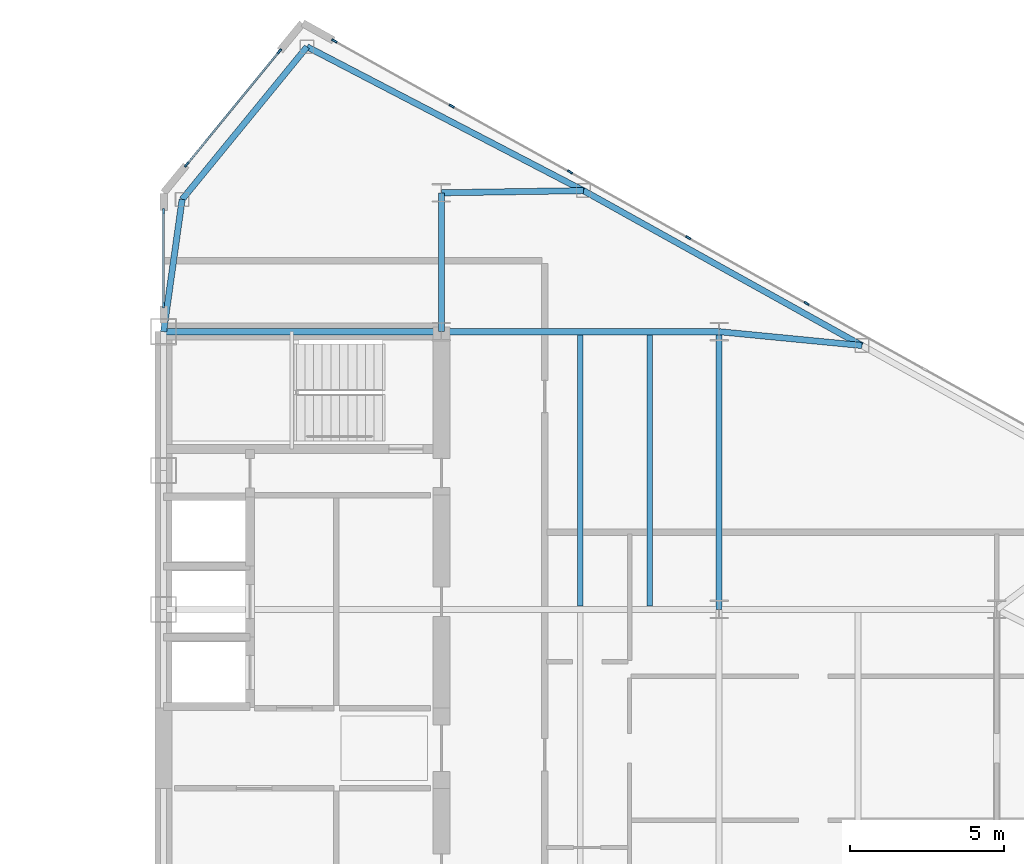
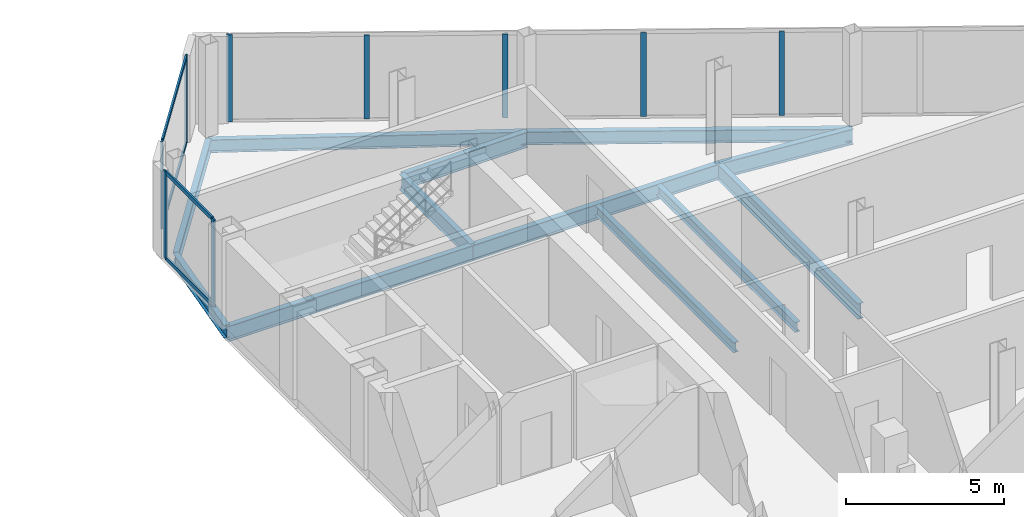
# One storey, part 15 of 26: 13 members, 12 beams, 3 elements without a shape of their own.
"""IFC4 building model written with IfcOpenShell, lengths in metres."""

from ifc_helpers import new_model, si_unit, direction, frame, origin, origin_2d, place, context, subcontext, project, spatial, rectangle, i_section, extrude, source, transform, mapped, material, layer, layer_set, material_profile, profile_set, type_object, type_shapes, element, aggregate, save


model = new_model("IFC4")

# Units and contexts
model_context = context("Model", 3, precision=1e-05, world=origin(), true_north=direction((0.0, 1.0)))
body_context = subcontext(model_context, "Body", "Model", "MODEL_VIEW")
ifc_project = project(units=[si_unit("LENGTHUNIT", "METRE"), si_unit("AREAUNIT", "SQUARE_METRE"), si_unit("VOLUMEUNIT", "CUBIC_METRE"), si_unit("PLANEANGLEUNIT", "RADIAN"), si_unit("MASSUNIT", "GRAM", prefix="KILO")], contexts=[model_context])

# Site, building, storey
site_placement = place(None, origin())
site = spatial("IfcSite", under=ifc_project, at=site_placement, CompositionType="ELEMENT")
building_placement = place(site_placement, origin())
building = spatial("IfcBuilding", under=site, at=building_placement, Name="Seokmaru Belvedere", CompositionType="ELEMENT")
storey_placement = place(building_placement, frame((0.0, 0.0, 170.699951171875)))
storey = spatial("IfcBuildingStorey", under=building, at=storey_placement, Name="L45", CompositionType="ELEMENT", Elevation=170.699951171875)

# Beams
ifc_material_1 = material(Name="Steel SM355 (355 MPa)", Category="steel")
ifc_material_profile_1 = material_profile(ifc_material_1, i_section(OverallWidth=0.199951171875, OverallDepth=0.60009765625, WebThickness=0.010986328125, FlangeThickness=0.01708984375, at=origin_2d()), Name="H-600x200x11x17")
ifc_profile_set_1 = profile_set([ifc_material_profile_1], Name="Steel SM355 (355 MPa)")
beam_type_1 = type_object("IfcBeamType", Name="Primary Floor Girder H-600", PredefinedType="BEAM", material=ifc_profile_set_1)
shared_shape_1 = source(origin(), body_context, "Body", "SweptSolid", [
    extrude(i_section(OverallWidth=0.199951171875, OverallDepth=0.60009765625, WebThickness=0.010986328125, FlangeThickness=0.01708984375, at=origin_2d()), origin(), (0.0, 0.0, 1.0), 9.0),
])
for number, where, z_axis, x_axis, name in (
    (1, (45.5, 4.5, -0.52001953125), (0.0, 1.0, 0.0), (-1.0, 0.0, 0.0), "L45 E Interior Grid Girder 3"),
    (2, (27.5, 13.5, -0.52001953125), (1.0, 0.0, 0.0), (0.0, 1.0, 0.0), "L45 E Core Tie Girder 4"),
    (3, (36.5, 13.5, -0.52001953125), (1.0, 0.0, 0.0), (0.0, 1.0, 0.0), "L45 E Wing Primary Girder 4"),
):
    element("IfcBeam", number, at=place(storey_placement, frame(where, z_axis=z_axis, x_axis=x_axis)), inside=storey, type_object=beam_type_1, Name=name, PredefinedType="BEAM", context=body_context, shape_type="MappedRepresentation", body=[
        mapped(shared_shape_1, transform((0.0, 0.0, 0.0), scale=1.0)),
    ])
ifc_material_profile_2 = material_profile(ifc_material_1, i_section(OverallWidth=0.18505859375, OverallDepth=0.389892578125, WebThickness=0.008056640625, FlangeThickness=0.011962890625, at=origin_2d()), Name="H-390x185x8x12")
ifc_profile_set_2 = profile_set([ifc_material_profile_2], Name="Steel SM355 (355 MPa)")
beam_type_2 = type_object("IfcBeamType", Name="Secondary Floor Joist H-350", PredefinedType="JOIST", material=ifc_profile_set_2)
shared_shape_2 = source(origin(), body_context, "Body", "SweptSolid", [
    extrude(i_section(OverallWidth=0.18505859375, OverallDepth=0.389892578125, WebThickness=0.008056640625, FlangeThickness=0.011962890625, at=origin_2d()), origin(), (0.0, 0.0, 1.0), 8.7900390625),
])
type_shapes(beam_type_2, [shared_shape_2])
for number, where, z_axis, x_axis, name in (
    (4, (43.25, 4.60498046875, -0.4150390625), (0.0, 1.0, 0.0), (-1.0, 0.0, 0.0), "L45 E Wing Inner Secondary Joist 2"),
    (5, (41.0, 4.60498046875, -0.4150390625), (0.0, 1.0, 0.0), (-1.0, 0.0, 0.0), "L45 E Secondary Floor Joist 3"),
):
    element("IfcBeam", number, at=place(storey_placement, frame(where, z_axis=z_axis, x_axis=x_axis)), inside=storey, type_object=beam_type_2, Name=name, PredefinedType="JOIST", context=body_context, shape_type="MappedRepresentation", body=[
        mapped(shared_shape_2, transform((0.0, 0.0, 0.0), scale=1.0)),
    ])
shared_shape_3 = source(origin(), body_context, "Body", "SweptSolid", [
    extrude(i_section(OverallWidth=0.199951171875, OverallDepth=0.60009765625, WebThickness=0.010986328125, FlangeThickness=0.01708984375, at=origin_2d()), origin(), (0.0, 0.0, 1.0), 4.5),
])
beam_1_placement = place(storey_placement, frame((36.5, 13.5, -0.52001953125), z_axis=(0.0, 1.0, 0.0), x_axis=(-1.0, 0.0, 0.0)))
element("IfcBeam", 6, at=beam_1_placement, inside=storey, type_object=beam_type_1, Name="L45 E Core Shoulder Girder N", PredefinedType="BEAM", context=body_context, shape_type="MappedRepresentation", body=[
    mapped(shared_shape_3, transform((0.0, 0.0, 0.0), scale=1.0)),
])
ifc_material_profile_3 = material_profile(ifc_material_1, i_section(OverallWidth=0.199951171875, OverallDepth=0.5, WebThickness=0.010009765625, FlangeThickness=0.01611328125, at=origin_2d()), Name="H-500x200x10x16")
ifc_profile_set_3 = profile_set([ifc_material_profile_3], Name="Steel SM355 (355 MPa)")
beam_type_3 = type_object("IfcBeamType", Name="Perimeter Spandrel Beam H-500", PredefinedType="SPANDREL", material=ifc_profile_set_3)
shared_shape_4 = source(origin(), body_context, "Body", "SweptSolid", [
    extrude(i_section(OverallWidth=0.199951171875, OverallDepth=0.5, WebThickness=0.010009765625, FlangeThickness=0.01611328125, at=origin_2d()), origin(), (0.0, 0.0, 1.0), 10.09716796875),
])
beam_2_placement = place(storey_placement, frame((32.146728515625, 22.731689453125, -0.469970703125), z_axis=(0.887085728914, -0.461604711369, 0.0), x_axis=(0.461604711369, 0.887085728914, 0.0)))
element("IfcBeam", 7, at=beam_2_placement, inside=storey, type_object=beam_type_3, Name="L45 E Faceted Flank Spandrel N-1", PredefinedType="SPANDREL", context=body_context, shape_type="MappedRepresentation", body=[
    mapped(shared_shape_4, transform((0.0, 0.0, 0.0), scale=1.0)),
])
shared_shape_5 = source(origin(), body_context, "Body", "SweptSolid", [
    extrude(i_section(OverallWidth=0.199951171875, OverallDepth=0.5, WebThickness=0.010009765625, FlangeThickness=0.01611328125, at=origin_2d()), origin(), (0.0, 0.0, 1.0), 10.327392578125),
])
beam_3_placement = place(storey_placement, frame((41.103759765625, 18.07080078125, -0.469970703125), z_axis=(0.873924120588, -0.486062374037, 0.0), x_axis=(0.486062374037, 0.873924120588, 0.0)))
element("IfcBeam", 8, at=beam_3_placement, inside=storey, type_object=beam_type_3, Name="L45 E Faceted Flank Spandrel N-2", PredefinedType="SPANDREL", context=body_context, shape_type="MappedRepresentation", body=[
    mapped(shared_shape_5, transform((0.0, 0.0, 0.0), scale=1.0)),
])
shared_shape_6 = source(origin(), body_context, "Body", "SweptSolid", [
    extrude(i_section(OverallWidth=0.199951171875, OverallDepth=0.5, WebThickness=0.010009765625, FlangeThickness=0.01611328125, at=origin_2d()), origin(), (0.0, 0.0, 1.0), 6.390380859375),
])
beam_4_placement = place(storey_placement, frame((32.146728515625, 22.731689453125, -0.469970703125), z_axis=(-0.63324403161, -0.7739521926, 0.0), x_axis=(0.7739521926, -0.63324403161, 0.0)))
element("IfcBeam", 9, at=beam_4_placement, inside=storey, type_object=beam_type_3, Name="L45 E Shoulder Chamfer Spandrel N", PredefinedType="SPANDREL", context=body_context, shape_type="MappedRepresentation", body=[
    mapped(shared_shape_6, transform((0.0, 0.0, 0.0), scale=1.0)),
])
shared_shape_7 = source(origin(), body_context, "Body", "SweptSolid", [
    extrude(i_section(OverallWidth=0.199951171875, OverallDepth=0.5, WebThickness=0.010009765625, FlangeThickness=0.01611328125, at=origin_2d()), origin(), (0.0, 0.0, 1.0), 4.32763671875),
])
type_shapes(beam_type_3, [shared_shape_4, shared_shape_5, shared_shape_6, shared_shape_7])
beam_5_placement = place(storey_placement, frame((28.10009765625, 17.785888671875, -0.469970703125), z_axis=(-0.138664443237, -0.990339422714, 0.0), x_axis=(0.990339422714, -0.138664443237, 0.0)))
element("IfcBeam", 10, at=beam_5_placement, inside=storey, type_object=beam_type_3, Name="L45 E Shoulder Spine Spandrel N", PredefinedType="SPANDREL", context=body_context, shape_type="MappedRepresentation", body=[
    mapped(shared_shape_7, transform((0.0, 0.0, 0.0), scale=1.0)),
])
shared_shape_8 = source(origin(), body_context, "Body", "SweptSolid", [
    extrude(i_section(OverallWidth=0.199951171875, OverallDepth=0.60009765625, WebThickness=0.010986328125, FlangeThickness=0.01708984375, at=origin_2d()), origin(), (0.0, 0.0, 1.0), 4.604248046875),
])
beam_6_placement = place(storey_placement, frame((41.103759765625, 18.07080078125, -0.52001953125), z_axis=(-0.999881765622, -0.01537708607, 0.0), x_axis=(0.01537708607, -0.999881765622, 0.0)))
element("IfcBeam", 11, at=beam_6_placement, inside=storey, type_object=beam_type_1, Name="L45 E Flank Radial Floor Girder N-1", PredefinedType="BEAM", context=body_context, shape_type="MappedRepresentation", body=[
    mapped(shared_shape_8, transform((0.0, 0.0, 0.0), scale=1.0)),
])
shared_shape_9 = source(origin(), body_context, "Body", "SweptSolid", [
    extrude(i_section(OverallWidth=0.199951171875, OverallDepth=0.60009765625, WebThickness=0.010986328125, FlangeThickness=0.01708984375, at=origin_2d()), origin(), (0.0, 0.0, 1.0), 4.65087890625),
])
type_shapes(beam_type_1, [shared_shape_1, shared_shape_3, shared_shape_8, shared_shape_9])
beam_7_placement = place(storey_placement, frame((50.129150390625, 13.051025390625, -0.52001953125), z_axis=(-0.995329534874, 0.09653557379, 0.0), x_axis=(-0.09653557379, -0.995329534874, 0.0)))
element("IfcBeam", 12, at=beam_7_placement, inside=storey, type_object=beam_type_1, Name="L45 E Flank Radial Floor Girder N-2", PredefinedType="BEAM", context=body_context, shape_type="MappedRepresentation", body=[
    mapped(shared_shape_9, transform((0.0, 0.0, 0.0), scale=1.0)),
])

# Curtain wall, members
ifc_material_2 = material(Name="Bronze Triple Insulating Glass", Category="glass")
ifc_layer = layer(ifc_material_2, 0.179931640625)
ifc_layer_set = layer_set([ifc_layer], Name="Bronze Triple Insulating Glass")
curtain_wall_type = type_object("IfcCurtainWallType", Name="High-Rise Wind-Corner Curtain Wall System CW-5", PredefinedType="NOTDEFINED", material=ifc_layer_set)
curtain_wall_1_placement = place(storey_placement, origin())
curtain_wall_1 = element("IfcCurtainWall", 13, at=curtain_wall_1_placement, inside=storey, type_object=curtain_wall_type, Name="L45 Curtain Wall ESP_2", PredefinedType="NOTDEFINED")
ifc_material_3 = material(Name="Anodised Bronze Aluminium", Category="aluminium")
ifc_material_profile_4 = material_profile(ifc_material_3, rectangle(XDim=0.06494140625, YDim=0.14990234375, at=origin_2d()), Name="CW-T-65x150")
ifc_profile_set_4 = profile_set([ifc_material_profile_4], Name="Anodised Bronze Aluminium")
member_type_1 = type_object("IfcMemberType", Name="Bronze Unitised Transom 65x150", PredefinedType="USERDEFINED", material=ifc_profile_set_4)
shared_shape_10 = source(origin(), body_context, "Body", "SweptSolid", [
    extrude(rectangle(XDim=0.06494140625, YDim=0.14990234375, at=origin_2d()), origin(), (0.0, 0.0, 1.0), 2.969970703125),
])
member_1_placement = place(storey_placement, frame((27.5, 17.364990234375, 0.032470703125), z_axis=(0.0, -1.0, 0.0), x_axis=(1.0, 0.0, 0.0)))
member_1 = element("IfcMember", 14, at=member_1_placement, type_object=member_type_1, Name="CW:L45:ESP_2 Continuous Transom 1", ObjectType="TRANSOM", PredefinedType="USERDEFINED", context=body_context, shape_type="MappedRepresentation", body=[
    mapped(shared_shape_10, transform((0.0, 0.0, 0.0), scale=1.0)),
])
member_2_placement = place(storey_placement, frame((27.5, 17.364990234375, 3.34765625), z_axis=(0.0, -1.0, 0.0), x_axis=(1.0, 0.0, 0.0)))
member_2 = element("IfcMember", 15, at=member_2_placement, type_object=member_type_1, Name="CW:L45:ESP_2 Continuous Transom 2", ObjectType="TRANSOM", PredefinedType="USERDEFINED", context=body_context, shape_type="MappedRepresentation", body=[
    mapped(shared_shape_10, transform((0.0, 0.0, 0.0), scale=1.0)),
])

curtain_wall_2_placement = place(storey_placement, origin())
curtain_wall_2 = element("IfcCurtainWall", 16, at=curtain_wall_2_placement, inside=storey, type_object=curtain_wall_type, Name="L45 Curtain Wall EF4", PredefinedType="NOTDEFINED")
shared_shape_11 = source(origin(), body_context, "Body", "SweptSolid", [
    extrude(rectangle(XDim=0.06494140625, YDim=0.14990234375, at=origin_2d()), origin(), (0.0, 0.0, 1.0), 4.67626953125),
])
type_shapes(member_type_1, [shared_shape_10, shared_shape_11])
member_3_placement = place(storey_placement, frame((31.230712890625, 22.5595703125, 0.032470703125), z_axis=(-0.633277591216, -0.773924733074, 0.0), x_axis=(0.773924733074, -0.633277591216, 0.0)))
member_3 = element("IfcMember", 17, at=member_3_placement, type_object=member_type_1, Name="CW:L45:EF4 Continuous Transom 1", ObjectType="TRANSOM", PredefinedType="USERDEFINED", context=body_context, shape_type="MappedRepresentation", body=[
    mapped(shared_shape_11, transform((0.0, 0.0, 0.0), scale=1.0)),
])
member_4_placement = place(storey_placement, frame((31.230712890625, 22.5595703125, 3.34765625), z_axis=(-0.633277591216, -0.773924733074, 0.0), x_axis=(0.773924733074, -0.633277591216, 0.0)))
member_4 = element("IfcMember", 18, at=member_4_placement, type_object=member_type_1, Name="CW:L45:EF4 Continuous Transom 2", ObjectType="TRANSOM", PredefinedType="USERDEFINED", context=body_context, shape_type="MappedRepresentation", body=[
    mapped(shared_shape_11, transform((0.0, 0.0, 0.0), scale=1.0)),
])

curtain_wall_3_placement = place(storey_placement, origin())
curtain_wall_3 = element("IfcCurtainWall", 19, at=curtain_wall_3_placement, inside=storey, type_object=curtain_wall_type, Name="L45 Curtain Wall EF3", PredefinedType="NOTDEFINED")
ifc_material_profile_5 = material_profile(ifc_material_3, rectangle(XDim=0.06494140625, YDim=0.179931640625, at=origin_2d()), Name="CW-M-65x180")
ifc_profile_set_5 = profile_set([ifc_material_profile_5], Name="Anodised Bronze Aluminium")
member_type_2 = type_object("IfcMemberType", Name="Bronze Unitised Mullion 65x180", PredefinedType="MULLION", material=ifc_profile_set_5)
shared_shape_12 = source(origin(), body_context, "Body", "SweptSolid", [
    extrude(rectangle(XDim=0.06494140625, YDim=0.179931640625, at=origin_2d()), origin(), (0.0, 0.0, 1.0), 3.25),
])
member_5_placement = place(storey_placement, frame((48.333984375, 14.415771484375, 0.06494140625), z_axis=(0.0, 0.0, 1.0), x_axis=(-0.486047125147, -0.873932601598, 0.0)))
member_5 = element("IfcMember", 20, at=member_5_placement, type_object=member_type_2, Name="CW:L45:EF3 Mullion 6", PredefinedType="MULLION", context=body_context, shape_type="MappedRepresentation", body=[
    mapped(shared_shape_12, transform((0.0, 0.0, 0.0), scale=1.0)),
])
member_6_placement = place(storey_placement, frame((44.501708984375, 16.547119140625, 0.06494140625), z_axis=(0.0, 0.0, 1.0), x_axis=(-0.486047125147, -0.873932601598, 0.0)))
member_6 = element("IfcMember", 21, at=member_6_placement, type_object=member_type_2, Name="CW:L45:EF3 Mullion 7", PredefinedType="MULLION", context=body_context, shape_type="MappedRepresentation", body=[
    mapped(shared_shape_12, transform((0.0, 0.0, 0.0), scale=1.0)),
])
member_7_placement = place(storey_placement, frame((40.66943359375, 18.67822265625, 0.06494140625), z_axis=(0.0, 0.0, 1.0), x_axis=(-0.486047125147, -0.873932601598, 0.0)))
member_7 = element("IfcMember", 22, at=member_7_placement, type_object=member_type_2, Name="CW:L45:EF3 Mullion 8", PredefinedType="MULLION", context=body_context, shape_type="MappedRepresentation", body=[
    mapped(shared_shape_12, transform((0.0, 0.0, 0.0), scale=1.0)),
])
member_8_placement = place(storey_placement, frame((36.837158203125, 20.809814453125, 0.06494140625), z_axis=(0.0, 0.0, 1.0), x_axis=(-0.486047125147, -0.873932601598, 0.0)))
member_8 = element("IfcMember", 23, at=member_8_placement, type_object=member_type_2, Name="CW:L45:EF3 Mullion 9", PredefinedType="MULLION", context=body_context, shape_type="MappedRepresentation", body=[
    mapped(shared_shape_12, transform((0.0, 0.0, 0.0), scale=1.0)),
])
shared_shape_13 = source(origin(), body_context, "Body", "SweptSolid", [
    extrude(rectangle(XDim=0.06494140625, YDim=0.179931640625, at=origin_2d()), origin(), (0.0, 0.0, 1.0), 3.380126953125),
])
type_shapes(member_type_2, [shared_shape_12, shared_shape_13])
member_9_placement = place(storey_placement, frame((33.033447265625, 22.92529296875, 0.0), z_axis=(0.0, 0.0, 1.0), x_axis=(-0.486047125147, -0.873932601598, 0.0)))
member_9 = element("IfcMember", 24, at=member_9_placement, type_object=member_type_2, Name="CW:L45:EF3 Mullion 10", PredefinedType="MULLION", context=body_context, shape_type="MappedRepresentation", body=[
    mapped(shared_shape_13, transform((0.0, 0.0, 0.0), scale=1.0)),
])
aggregate(curtain_wall_3, [member_5, member_6, member_7, member_8, member_9])

# Member
member_10_placement = place(storey_placement, frame((31.251220703125, 22.584716796875, 0.0), z_axis=(0.0, 0.0, 1.0), x_axis=(0.773944112379, -0.633253907144, 0.0)))
member_10 = element("IfcMember", 25, at=member_10_placement, type_object=member_type_2, Name="CW:L45:EF4 Mullion 1", PredefinedType="MULLION", context=body_context, shape_type="MappedRepresentation", body=[
    mapped(shared_shape_13, transform((0.0, 0.0, 0.0), scale=1.0)),
])

member_11_placement = place(storey_placement, frame((28.248779296875, 18.915283203125, 0.0), z_axis=(0.0, 0.0, 1.0), x_axis=(0.773944112379, -0.633253907144, 0.0)))
member_11 = element("IfcMember", 26, at=member_11_placement, type_object=member_type_2, Name="CW:L45:EF4 Mullion 2", PredefinedType="MULLION", context=body_context, shape_type="MappedRepresentation", body=[
    mapped(shared_shape_13, transform((0.0, 0.0, 0.0), scale=1.0)),
])

aggregate(curtain_wall_2, [member_10, member_11, member_3, member_4])

member_12_placement = place(storey_placement, frame((27.5, 17.3974609375, 0.0), z_axis=(0.0, 0.0, 1.0), x_axis=(1.0, 0.0, 0.0)))
member_12 = element("IfcMember", 27, at=member_12_placement, type_object=member_type_2, Name="CW:L45:ESP_2 Mullion 1", PredefinedType="MULLION", context=body_context, shape_type="MappedRepresentation", body=[
    mapped(shared_shape_13, transform((0.0, 0.0, 0.0), scale=1.0)),
])

member_13_placement = place(storey_placement, frame((27.5, 14.362548828125, 0.0), z_axis=(0.0, 0.0, 1.0), x_axis=(1.0, 0.0, 0.0)))
member_13 = element("IfcMember", 28, at=member_13_placement, type_object=member_type_2, Name="CW:L45:ESP_2 Mullion 2", PredefinedType="MULLION", context=body_context, shape_type="MappedRepresentation", body=[
    mapped(shared_shape_13, transform((0.0, 0.0, 0.0), scale=1.0)),
])

aggregate(curtain_wall_1, [member_12, member_13, member_1, member_2])

save(model, "model.ifc")
